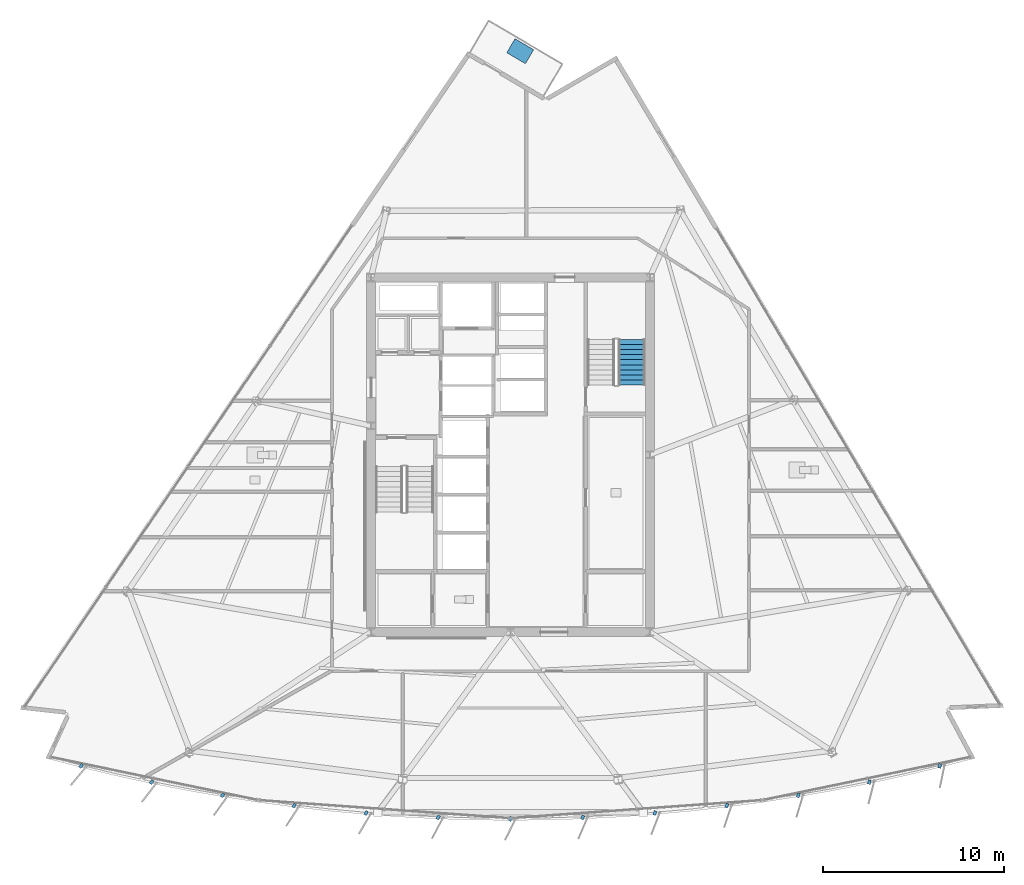
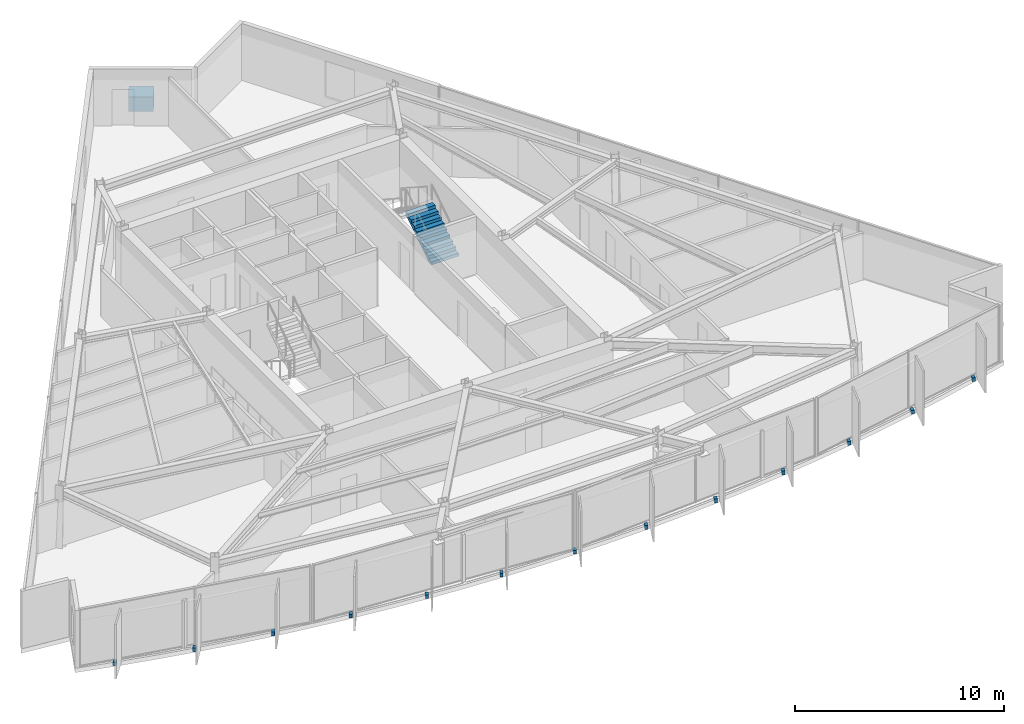
# One storey, part 11 of 16: 14 discrete accessories, 1 stair flight, 1 element without a shape of its own.
"""IFC4 building model written with IfcOpenShell, lengths in metres."""

from ifc_helpers import new_model, si_unit, direction, frame, origin, origin_2d, place, context, subcontext, project, spatial, polyline, rectangle, outline, extrude, material, type_object, element, aggregate, save


model = new_model("IFC4")

# Units and contexts
model_context = context("Model", 3, precision=1e-05, world=origin(), true_north=direction((0.0, 1.0)))
body_context = subcontext(model_context, "Body", "Model", "MODEL_VIEW")
ifc_project = project(units=[si_unit("LENGTHUNIT", "METRE"), si_unit("AREAUNIT", "SQUARE_METRE"), si_unit("VOLUMEUNIT", "CUBIC_METRE"), si_unit("PLANEANGLEUNIT", "RADIAN"), si_unit("MASSUNIT", "GRAM", prefix="KILO")], contexts=[model_context])

# Site, building, storey
site_placement = place(None, origin())
site = spatial("IfcSite", under=ifc_project, at=site_placement, CompositionType="ELEMENT")
building_placement = place(site_placement, origin())
building = spatial("IfcBuilding", under=site, at=building_placement, Name="Savorim Split Tower", CompositionType="ELEMENT")
storey_placement = place(building_placement, frame((0.0, 0.0, 156.60009765625)))
storey = spatial("IfcBuildingStorey", under=building, at=storey_placement, Name="L41", CompositionType="ELEMENT", Elevation=156.60009765625)

# Stair, stair flight
ifc_material_1 = material(Name="Concrete C50/60", Category="concrete")
stair_type = type_object("IfcStairType", Name="STR-DOG-3600", PredefinedType="HALF_TURN_STAIR", material=ifc_material_1)
stair_placement = place(storey_placement, origin())
stair = element("IfcStair", 1, at=stair_placement, inside=storey, type_object=stair_type, Name="L41 Core Protected Exit Stair ST-2", PredefinedType="HALF_TURN_STAIR")
stair_flight_type = type_object("IfcStairFlightType", Name="SFL-DOG-3600", PredefinedType="STRAIGHT", material=ifc_material_1)
stair_flight_placement = place(storey_placement, frame((6.699951171875, 4.25, 0.0), z_axis=(0.0, 0.0, 1.0), x_axis=(0.0, 1.0, 0.0)))
stair_flight = element("IfcStairFlight", 2, at=stair_flight_placement, type_object=stair_flight_type, Name="ST-2 flight 1", NumberOfRisers=10, NumberOfTreads=9, PredefinedType="STRAIGHT", RiserHeight=0.18, TreadLength=0.28, context=body_context, shape_type="SweptSolid", body=[
    extrude(outline(polyline([(0.0, 0.0), (0.0, 0.179931640625), (0.280029296875, 0.179931640625), (0.280029296875, 0.360107421875), (0.56005859375, 0.360107421875), (0.56005859375, 0.5400390625), (0.840087890625, 0.5400390625), (0.840087890625, 0.719970703125), (1.1201171875, 0.719970703125), (1.1201171875, 0.89990234375), (1.39990234375, 0.89990234375), (1.39990234375, 1.080078125), (1.679931640625, 1.080078125), (1.679931640625, 1.260009765625), (1.9599609375, 1.260009765625), (1.9599609375, 1.43994140625), (2.239990234375, 1.43994140625), (2.239990234375, 1.6201171875), (2.52001953125, 1.6201171875), (2.52001953125, 1.800048828125), (2.52001953125, 1.44189453125), (0.277099609375, 0.0), (0.0, 0.0)])), frame((0.0, 0.75, 0.0), z_axis=(0.0, -1.0, 0.0), x_axis=(1.0, 0.0, 0.0)), (0.0, 0.0, 1.0), 1.5),
])
aggregate(stair, [stair_flight])

# Discrete accessories
ifc_material_2 = material(Name="Steel S355", Category="steel")
discrete_accessory_type_1 = type_object("IfcDiscreteAccessoryType", Name="ACC-BRK-FIN", PredefinedType="BRACKET", material=ifc_material_2)
for number, where, z_axis, x_axis, name in (
    (3, (-23.720703125, -16.79443359375, -0.18994140625), (0.0, 0.0, 1.0), (-0.643719022682, -0.765261928909, 0.0), "L41 Fin Slab-Edge Cleat Bracket 01"),
    (4, (-19.828369140625, -17.685791015625, -0.18994140625), (0.0, 0.0, 1.0), (-0.611868076908, -0.790959832394, 0.0), "L41 Fin Slab-Edge Cleat Bracket 02"),
    (5, (-15.902587890625, -18.4169921875, -0.18994140625), (0.0, 0.0, 1.0), (-0.578993757737, -0.815331974414, 0.0), "L41 Fin Slab-Edge Cleat Bracket 03"),
    (6, (-11.950439453125, -18.987060546875, -0.18994140625), (0.0, 0.0, 1.0), (-0.545148321708, -0.838339613366, 0.0), "L41 Fin Slab-Edge Cleat Bracket 04"),
    (7, (-7.97802734375, -19.39501953125, -0.18994140625), (0.0, 0.0, 1.0), (-0.510391336723, -0.859942255851, 0.0), "L41 Fin Slab-Edge Cleat Bracket 05"),
    (8, (-3.992431640625, -19.639892578125, -0.18994140625), (0.0, 0.0, 1.0), (-0.474778051978, -0.880105562623, 0.0), "L41 Fin Slab-Edge Cleat Bracket 06"),
    (9, (0.0, -19.7216796875, -0.18994140625), (0.0, 0.0, 1.0), (-0.438371146789, -0.898794046299, 0.0), "L41 Fin Slab-Edge Cleat Bracket 07"),
    (10, (3.992431640625, -19.639892578125, -0.18994140625), (0.0, 0.0, 1.0), (-0.401230091723, -0.915977299662, 0.0), "L41 Fin Slab-Edge Cleat Bracket 08"),
    (11, (7.97802734375, -19.39501953125, -0.18994140625), (0.0, 0.0, 1.0), (-0.363415461732, -0.931627179817, 0.0), "L41 Fin Slab-Edge Cleat Bracket 09"),
    (12, (11.950439453125, -18.987060546875, -0.18994140625), (0.0, 0.0, 1.0), (-0.324993810493, -0.945716143005, 0.0), "L41 Fin Slab-Edge Cleat Bracket 10"),
    (13, (15.902587890625, -18.4169921875, -0.18994140625), (0.0, 0.0, 1.0), (-0.286026212504, -0.958221793616, 0.0), "L41 Fin Slab-Edge Cleat Bracket 11"),
    (14, (19.828369140625, -17.685791015625, -0.18994140625), (0.0, 0.0, 1.0), (-0.246581250663, -0.969122121727, 0.0), "L41 Fin Slab-Edge Cleat Bracket 12"),
    (15, (23.720703125, -16.79443359375, -0.18994140625), (0.0, 0.0, 1.0), (-0.206721626106, -0.978399800337, 0.0), "L41 Fin Slab-Edge Cleat Bracket 13"),
):
    element("IfcDiscreteAccessory", number, at=place(storey_placement, frame(where, z_axis=z_axis, x_axis=x_axis)), inside=storey, type_object=discrete_accessory_type_1, Name=name, PredefinedType="BRACKET", context=body_context, shape_type="SweptSolid", body=[
        extrude(rectangle(XDim=0.239990234375, YDim=0.159912109375, at=origin_2d()), origin(), (0.0, 0.0, 1.0), 0.219970703125),
    ])
ifc_material_3 = material(Name="Architectural Precast Planter Concrete C40/50", Category="concrete")
discrete_accessory_type_2 = type_object("IfcDiscreteAccessoryType", Name="ACC-PLN-TREE", PredefinedType="USERDEFINED", material=ifc_material_3)
discrete_accessory_placement = place(storey_placement, frame((0.53759765625, 22.694091796875, -0.000244140625), z_axis=(0.0, 0.0, 1.0), x_axis=(-0.862127461925, 0.506691463709, 0.0)))
element("IfcDiscreteAccessory", 16, at=discrete_accessory_placement, inside=storey, type_object=discrete_accessory_type_2, Name="L41 Balcony Precast Tree Planter N", ObjectType="PLANTER", PredefinedType="USERDEFINED", context=body_context, shape_type="SweptSolid", body=[
    extrude(rectangle(XDim=1.199951171875, YDim=0.89990234375, at=origin_2d()), origin(), (0.0, 0.0, 1.0), 0.85009765625),
])

save(model, "model.ifc")
